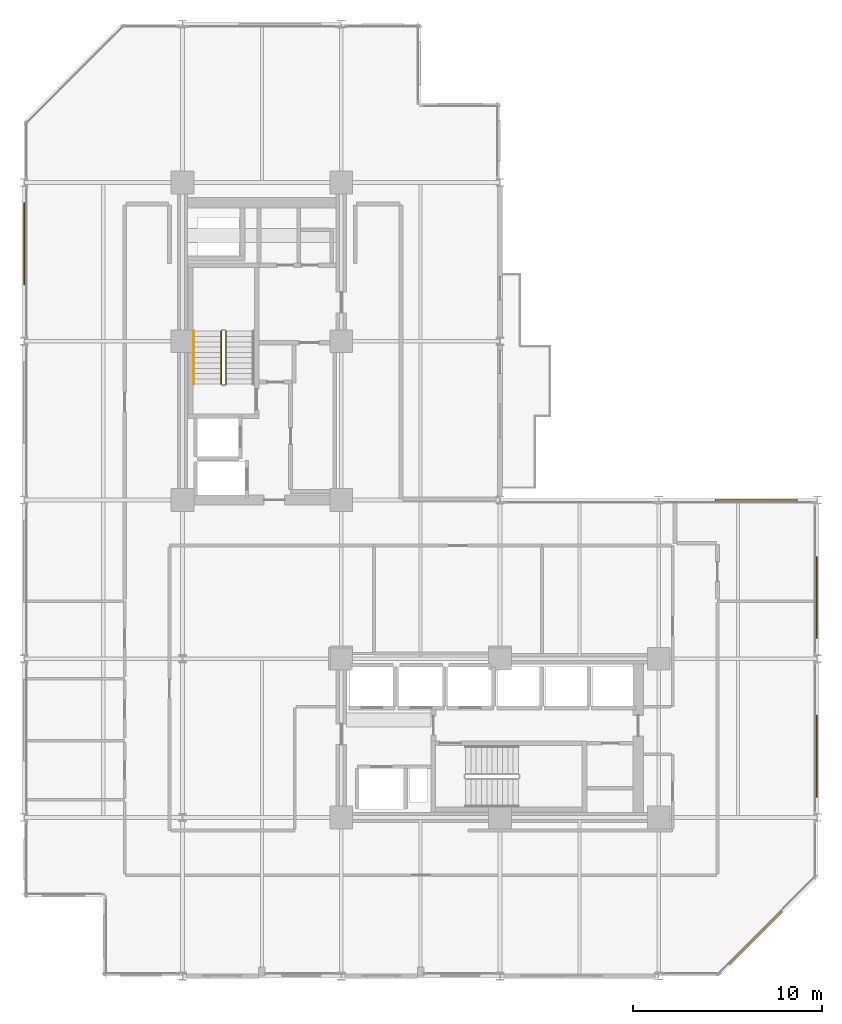
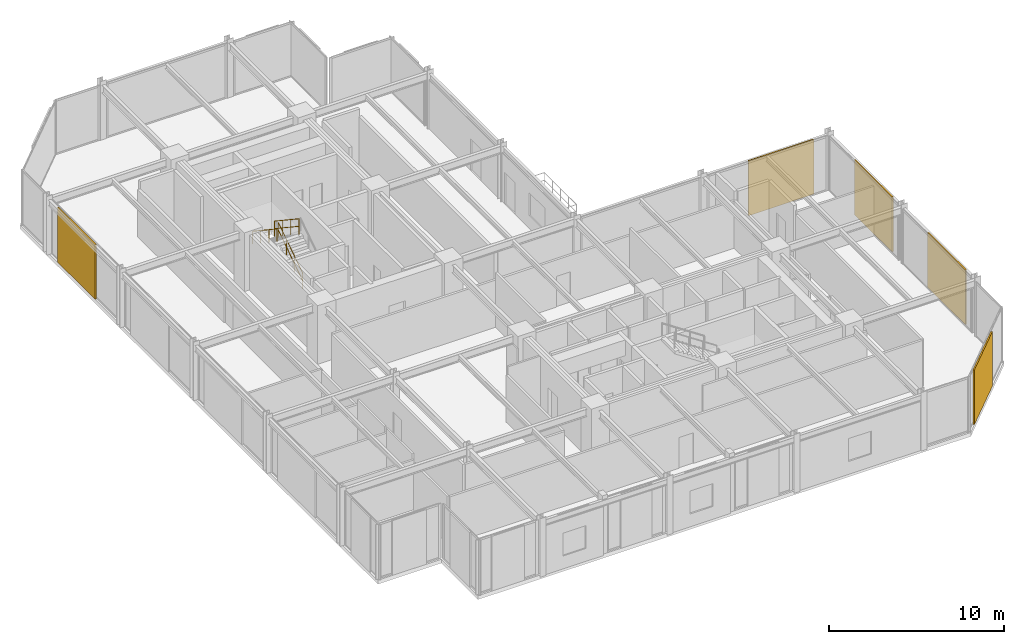
# One storey, part 28 of 29: 5 coverings, 3 railings.
"""IFC4 building model written with IfcOpenShell, lengths in metres."""

from ifc_helpers import new_model, si_unit, direction, frame, origin, origin_2d, place, context, subcontext, project, spatial, rectangle, circle, extrude, material, layer, layer_set, type_object, element, save


model = new_model("IFC4")

# Units and contexts
model_context = context("Model", 3, precision=1e-05, world=origin(), true_north=direction((0.0, 1.0)))
body_context = subcontext(model_context, "Body", "Model", "MODEL_VIEW")
ifc_project = project(units=[si_unit("LENGTHUNIT", "METRE"), si_unit("AREAUNIT", "SQUARE_METRE"), si_unit("VOLUMEUNIT", "CUBIC_METRE"), si_unit("PLANEANGLEUNIT", "RADIAN"), si_unit("MASSUNIT", "GRAM", prefix="KILO")], contexts=[model_context])

# Site, building, storey
site_placement = place(None, origin())
site = spatial("IfcSite", under=ifc_project, at=site_placement, CompositionType="ELEMENT")
building_placement = place(site_placement, origin())
building = spatial("IfcBuilding", under=site, at=building_placement, Name="Nerrivon Quay Data Exchange", CompositionType="ELEMENT")
storey_placement = place(building_placement, frame((0.0, 0.0, 150.0)))
storey = spatial("IfcBuildingStorey", under=building, at=storey_placement, Name="L35", CompositionType="ELEMENT", Elevation=150.0)

# Coverings
ifc_material_1 = material(Name="Architectural terracotta ceramic", Category="masonry")
ifc_layer = layer(ifc_material_1, 0.090087890625)
ifc_layer_set = layer_set([ifc_layer], Name="Architectural terracotta ceramic")
covering_type = type_object("IfcCoveringType", Name="COV-SCR-TERR", PredefinedType="CLADDING", material=ifc_layer_set)
covering_placement = place(storey_placement, frame((38.744140625, 2.0078125, 0.0), z_axis=(0.0, 0.0, 1.0), x_axis=(-0.707106781187, -0.707106781187, 0.0)))
element("IfcCovering", 1, at=covering_placement, inside=storey, type_object=covering_type, Name="L35 Perforated Terracotta SOLAR SCREEN Cassette", PredefinedType="CLADDING", context=body_context, shape_type="SweptSolid", body=[
    extrude(rectangle(XDim=3.970947265625, YDim=0.090087890625, at=origin_2d()), origin(), (0.0, 0.0, 1.0), 3.824951171875),
])
for number, where, z_axis, x_axis, name in (
    (2, (0.044921875, 38.760009765625, 0.0), (0.0, 0.0, 1.0), (0.0, 1.0, 0.0), "L35 Perforated Terracotta SOLAR SCREEN Cassette"),
    (3, (38.760009765625, 25.155029296875, 0.0), (0.0, 0.0, 1.0), (1.0, 0.0, 0.0), "L35 Perforated Terracotta SOLAR SCREEN Cassette"),
    (4, (41.955078125, 20.0400390625, 0.0), (0.0, 0.0, 1.0), (0.0, -1.0, 0.0), "L35 Perforated Terracotta SOLAR SCREEN Cassette"),
    (5, (41.955078125, 11.639892578125, 0.0), (0.0, 0.0, 1.0), (0.0, -1.0, 0.0), "L35 Perforated Terracotta SOLAR SCREEN Cassette"),
):
    element("IfcCovering", number, at=place(storey_placement, frame(where, z_axis=z_axis, x_axis=x_axis)), inside=storey, type_object=covering_type, Name=name, PredefinedType="CLADDING", context=body_context, shape_type="SweptSolid", body=[
        extrude(rectangle(XDim=4.320068359375, YDim=0.090087890625, at=origin_2d()), origin(), (0.0, 0.0, 1.0), 3.824951171875),
    ])

# Railings
ifc_material_2 = material(Name="Steel Grade C350L0 (350 MPa)", Category="steel")
railing_type_1 = type_object("IfcRailingType", Name="RAIL-HAND-HR1", PredefinedType="HANDRAIL", material=ifc_material_2)
railing_1_placement = place(storey_placement, frame((9.0, 34.1298828125, 2.236328125)))
element("IfcRailing", 6, at=railing_1_placement, inside=storey, type_object=railing_type_1, Name="L35 ST01 stair handrail 2", PredefinedType="HANDRAIL", context=body_context, shape_type="SweptSolid", body=[
    extrude(circle(Radius=0.02392578125, at=origin_2d()), frame((0.0, 0.0, 0.8759765625), z_axis=(0.0, -0.832429786209, 0.554130536094), x_axis=(1.0, 0.0, 0.0)), (0.0, 0.0, 1.0), 3.363525390625),
    extrude(circle(Radius=0.02099609375, at=origin_2d()), origin(), (0.0, 0.0, 1.0), 0.851806640625),
    extrude(circle(Radius=0.02099609375, at=origin_2d()), frame((0.0, -0.933349609375, 0.621337890625)), (0.0, 0.0, 1.0), 0.851806640625),
    extrude(circle(Radius=0.02099609375, at=origin_2d()), frame((0.0, -1.866455078125, 1.242431640625)), (0.0, 0.0, 1.0), 0.851806640625),
    extrude(circle(Radius=0.02099609375, at=origin_2d()), frame((0.0, -2.7998046875, 1.86376953125)), (0.0, 0.0, 1.0), 0.851806640625),
])
railing_type_2 = type_object("IfcRailingType", Name="RAIL-STAIR-GR1", PredefinedType="BALUSTRADE", material=ifc_material_2)
railing_2_placement = place(storey_placement, frame((10.699951171875, 31.330078125, 0.186279296875)))
element("IfcRailing", 7, at=railing_2_placement, inside=storey, type_object=railing_type_2, Name="L35 ST01 stair guard 1", PredefinedType="BALUSTRADE", context=body_context, shape_type="SweptSolid", body=[
    extrude(circle(Radius=0.02392578125, at=origin_2d()), frame((0.0, 0.0, 1.076171875), z_axis=(0.0, 0.832429786209, 0.554130536094), x_axis=(-1.0, 0.0, 0.0)), (0.0, 0.0, 1.0), 3.363525390625),
    extrude(circle(Radius=0.02392578125, at=origin_2d()), frame((0.0, 0.0, 0.550048828125), z_axis=(0.0, 0.832429786209, 0.554130536094), x_axis=(-1.0, 0.0, 0.0)), (0.0, 0.0, 1.0), 3.363525390625),
    extrude(circle(Radius=0.02099609375, at=origin_2d()), origin(), (0.0, 0.0, 1.0), 1.052001953125),
    extrude(circle(Radius=0.02099609375, at=origin_2d()), frame((0.0, 0.933349609375, 0.621337890625)), (0.0, 0.0, 1.0), 1.052001953125),
    extrude(circle(Radius=0.02099609375, at=origin_2d()), frame((0.0, 1.866455078125, 1.242431640625)), (0.0, 0.0, 1.0), 1.052001953125),
    extrude(circle(Radius=0.02099609375, at=origin_2d()), frame((0.0, 2.7998046875, 1.86376953125)), (0.0, 0.0, 1.0), 1.052001953125),
])
railing_3_placement = place(storey_placement, frame((10.449951171875, 34.1298828125, 2.236328125)))
element("IfcRailing", 8, at=railing_3_placement, inside=storey, type_object=railing_type_2, Name="L35 ST01 stair guard 3", PredefinedType="BALUSTRADE", context=body_context, shape_type="SweptSolid", body=[
    extrude(circle(Radius=0.02392578125, at=origin_2d()), frame((0.0, 0.0, 1.076171875), z_axis=(0.0, -0.832429786209, 0.554130536094), x_axis=(1.0, 0.0, 0.0)), (0.0, 0.0, 1.0), 3.363525390625),
    extrude(circle(Radius=0.02392578125, at=origin_2d()), frame((0.0, 0.0, 0.550048828125), z_axis=(0.0, -0.832429786209, 0.554130536094), x_axis=(1.0, 0.0, 0.0)), (0.0, 0.0, 1.0), 3.363525390625),
    extrude(circle(Radius=0.02099609375, at=origin_2d()), origin(), (0.0, 0.0, 1.0), 1.052001953125),
    extrude(circle(Radius=0.02099609375, at=origin_2d()), frame((0.0, -0.933349609375, 0.621337890625)), (0.0, 0.0, 1.0), 1.052001953125),
    extrude(circle(Radius=0.02099609375, at=origin_2d()), frame((0.0, -1.866455078125, 1.242431640625)), (0.0, 0.0, 1.0), 1.052001953125),
    extrude(circle(Radius=0.02099609375, at=origin_2d()), frame((0.0, -2.7998046875, 1.86376953125)), (0.0, 0.0, 1.0), 1.052001953125),
])

save(model, "model.ifc")
